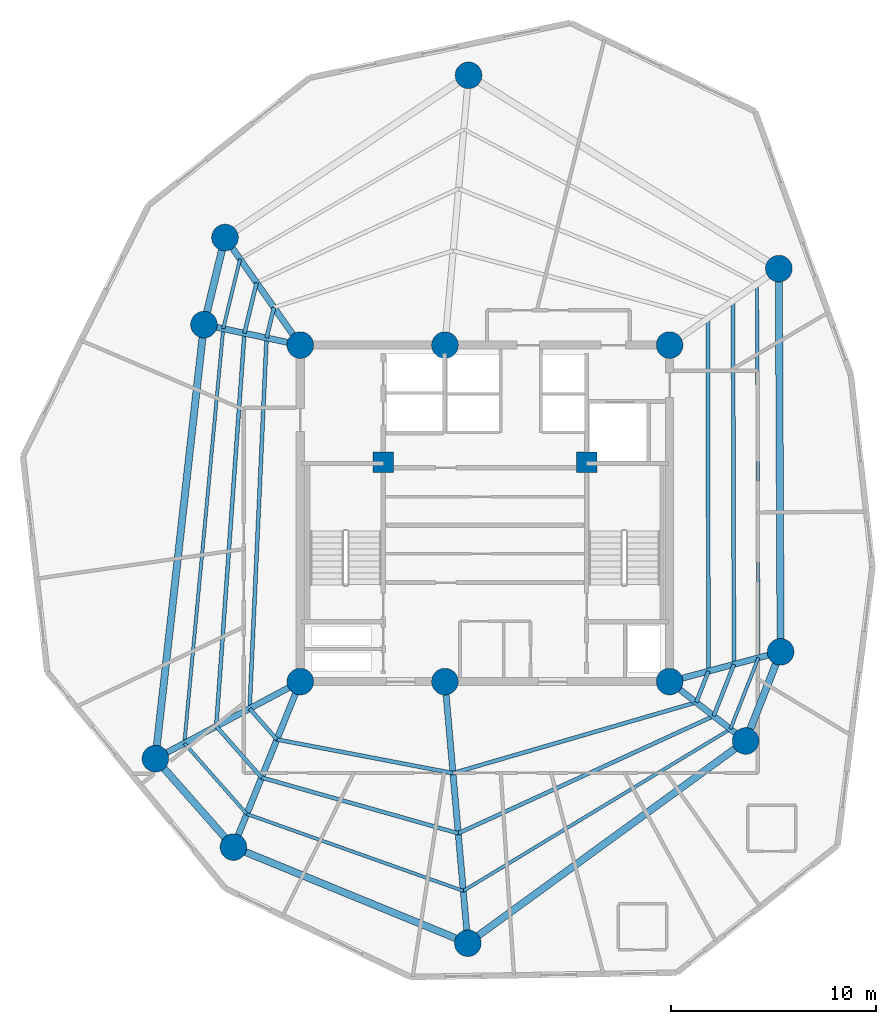
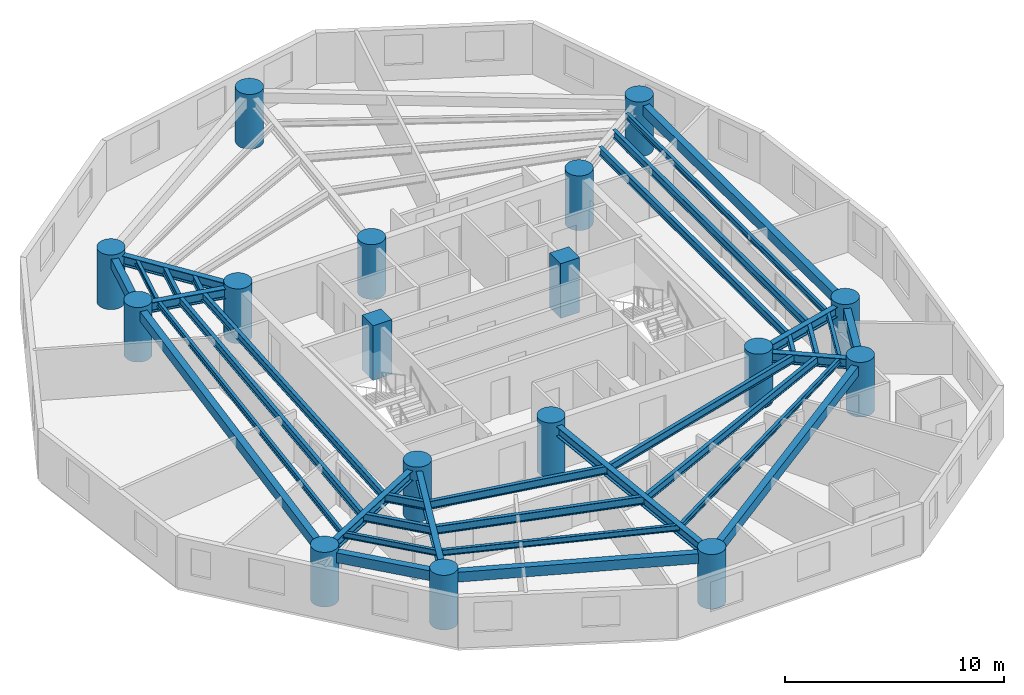
# One storey, part 1 of 7: 35 beams, 17 columns.
"""IFC4 building model written with IfcOpenShell, lengths in metres."""

from ifc_helpers import new_model, si_unit, direction, frame, origin, origin_with_axes, origin_2d, place, context, subcontext, project, spatial, rectangle, circle, i_section, extrude, source, transform, mapped, material, material_profile, profile_set, type_object, element, save


model = new_model("IFC4")

# Units and contexts
model_context = context("Model", 3, precision=1e-05, world=origin(), true_north=direction((0.0, 1.0)))
body_context = subcontext(model_context, "Body", "Model", "MODEL_VIEW")
ifc_project = project(units=[si_unit("LENGTHUNIT", "METRE"), si_unit("AREAUNIT", "SQUARE_METRE"), si_unit("VOLUMEUNIT", "CUBIC_METRE"), si_unit("PLANEANGLEUNIT", "RADIAN"), si_unit("MASSUNIT", "GRAM", prefix="KILO")], contexts=[model_context])

# Site, building, storey
site_placement = place(None, origin())
site = spatial("IfcSite", under=ifc_project, at=site_placement, CompositionType="ELEMENT")
building_placement = place(site_placement, origin())
building = spatial("IfcBuilding", under=site, at=building_placement, Name="Karkom Vertical University and Central Library", CompositionType="ELEMENT")
storey_placement = place(building_placement, frame((0.0, 0.0, 202.300048828125)))
storey = spatial("IfcBuildingStorey", under=building, at=storey_placement, Name="L59", CompositionType="ELEMENT", Elevation=202.300048828125)

# Columns
ifc_material_1 = material(Name="Concrete C50/60", Category="concrete")
ifc_material_profile_1 = material_profile(ifc_material_1, circle(Radius=0.64990234375, at=origin_2d()), Name="CFT-D1300")
ifc_profile_set_1 = profile_set([ifc_material_profile_1], Name="Concrete C50/60")
column_type_1 = type_object("IfcColumnType", Name="STR-COL-C-SC4", PredefinedType="COLUMN", material=ifc_profile_set_1)
shared_shape_1 = source(origin_with_axes(), body_context, "Body", "SweptSolid", [
    extrude(circle(Radius=0.64990234375, at=origin_2d()), origin(), (0.0, 0.0, 1.0), 3.050048828125),
])
for number, where, z_axis, x_axis, name in (
    (1, (19.5, 18.300048828125, 0.0), (0.0, 0.0, 1.0), (1.0, 0.0, 0.0), "Level 59 Spine Mega-Column SC-1"),
    (2, (26.550048828125, 18.300048828125, 0.0), (0.0, 0.0, 1.0), (1.0, 0.0, 0.0), "Level 59 Spine Mega-Column SC-2"),
    (3, (37.5, 18.300048828125, 0.0), (0.0, 0.0, 1.0), (1.0, 0.0, 0.0), "Level 59 Spine Mega-Column SC-3"),
    (4, (19.5, 34.699951171875, 0.0), (0.0, 0.0, 1.0), (1.0, 0.0, 0.0), "Level 59 Spine Mega-Column SC-4"),
    (5, (26.550048828125, 34.699951171875, 0.0), (0.0, 0.0, 1.0), (1.0, 0.0, 0.0), "Level 59 Spine Mega-Column SC-5"),
    (6, (37.5, 34.699951171875, 0.0), (0.0, 0.0, 1.0), (1.0, 0.0, 0.0), "Level 59 Spine Mega-Column SC-6"),
    (7, (42.908935546875, 19.7490234375, 0.0), (0.0, 0.0, 1.0), (1.0, 0.0, 0.0), "Level 59 Perimeter Mega-Column Z3-PC1"),
    (8, (42.823974609375, 38.427978515625, 0.0), (0.0, 0.0, 1.0), (1.0, 0.0, 0.0), "Level 59 Perimeter Mega-Column Z3-PC2"),
    (9, (27.699951171875, 47.85009765625, 0.0), (0.0, 0.0, 1.0), (1.0, 0.0, 0.0), "Level 59 Perimeter Mega-Column Z3-PC3"),
    (10, (15.8291015625, 39.943115234375, 0.0), (0.0, 0.0, 1.0), (1.0, 0.0, 0.0), "Level 59 Perimeter Mega-Column Z3-PC4"),
    (11, (14.804931640625, 35.697998046875, 0.0), (0.0, 0.0, 1.0), (1.0, 0.0, 0.0), "Level 59 Perimeter Mega-Column Z3-PC5"),
    (12, (12.43603515625, 14.5439453125, 0.0), (0.0, 0.0, 1.0), (1.0, 0.0, 0.0), "Level 59 Perimeter Mega-Column Z3-PC6"),
    (13, (16.240966796875, 10.23388671875, 0.0), (0.0, 0.0, 1.0), (1.0, 0.0, 0.0), "Level 59 Perimeter Mega-Column Z3-PC7"),
    (14, (27.666015625, 5.549072265625, 0.0), (0.0, 0.0, 1.0), (1.0, 0.0, 0.0), "Level 59 Perimeter Mega-Column Z3-PC8"),
    (15, (41.2041015625, 15.406005859375, 0.0), (0.0, 0.0, 1.0), (1.0, 0.0, 0.0), "Level 59 Perimeter Mega-Column Z3-PC9"),
):
    element("IfcColumn", number, at=place(storey_placement, frame(where, z_axis=z_axis, x_axis=x_axis)), inside=storey, type_object=column_type_1, Name=name, PredefinedType="COLUMN", context=body_context, shape_type="MappedRepresentation", body=[
        mapped(shared_shape_1, transform((0.0, 0.0, 0.0), scale=1.0)),
    ])
ifc_material_profile_2 = material_profile(ifc_material_1, rectangle(XDim=1.0, YDim=1.0, at=origin_2d()), Name="RC-1000x1000")
ifc_profile_set_2 = profile_set([ifc_material_profile_2], Name="Concrete C50/60")
column_type_2 = type_object("IfcColumnType", Name="STR-COL-C-CC2", PredefinedType="COLUMN", material=ifc_profile_set_2)
shared_shape_2 = source(origin_with_axes(), body_context, "Body", "SweptSolid", [
    extrude(rectangle(XDim=1.0, YDim=1.0, at=origin_2d()), origin(), (0.0, 0.0, 1.0), 3.050048828125),
])
for number, where, z_axis, x_axis, name in (
    (16, (23.550048828125, 29.0, 0.0), (0.0, 0.0, 1.0), (1.0, 0.0, 0.0), "Level 59 Core Node Column CC-1"),
    (17, (33.449951171875, 29.0, 0.0), (0.0, 0.0, 1.0), (1.0, 0.0, 0.0), "Level 59 Core Node Column CC-2"),
):
    element("IfcColumn", number, at=place(storey_placement, frame(where, z_axis=z_axis, x_axis=x_axis)), inside=storey, type_object=column_type_2, Name=name, PredefinedType="COLUMN", context=body_context, shape_type="MappedRepresentation", body=[
        mapped(shared_shape_2, transform((0.0, 0.0, 0.0), scale=1.0)),
    ])

# Beams
ifc_material_2 = material(Name="Precast concrete C45/55", Category="concrete")
ifc_material_profile_3 = material_profile(ifc_material_2, rectangle(XDim=0.35009765625, YDim=0.550048828125, at=origin_2d()), Name="SPB-350x550")
ifc_profile_set_3 = profile_set([ifc_material_profile_3], Name="Precast concrete C45/55")
beam_type_1 = type_object("IfcBeamType", Name="STR-BM-SP-2", PredefinedType="SPANDREL", material=ifc_profile_set_3)
shared_shape_3 = source(origin_with_axes(), body_context, "Body", "SweptSolid", [
    extrude(rectangle(XDim=0.35009765625, YDim=0.550048828125, at=origin_2d()), origin(), (0.0, 0.0, 1.0), 18.67919921875),
])
beam_1_placement = place(storey_placement, frame((42.908935546875, 19.7490234375, 2.550048828125), z_axis=(-0.004548437442, 0.999989655805, 0.0), x_axis=(-0.999989655805, -0.004548437442, 0.0)))
element("IfcBeam", 18, at=beam_1_placement, inside=storey, type_object=beam_type_1, Name="Level 59 Perimeter Spandrel Beam 01", PredefinedType="SPANDREL", context=body_context, shape_type="MappedRepresentation", body=[
    mapped(shared_shape_3, transform((0.0, 0.0, 0.0), scale=1.0)),
])
shared_shape_4 = source(origin_with_axes(), body_context, "Body", "SweptSolid", [
    extrude(rectangle(XDim=0.35009765625, YDim=0.550048828125, at=origin_2d()), origin(), (0.0, 0.0, 1.0), 4.366943359375),
])
beam_2_placement = place(storey_placement, frame((15.8291015625, 39.943115234375, 2.550048828125), z_axis=(-0.234529408772, -0.972109024966, 0.0), x_axis=(0.972109024966, -0.234529408772, 0.0)))
element("IfcBeam", 19, at=beam_2_placement, inside=storey, type_object=beam_type_1, Name="Level 59 Perimeter Spandrel Beam 04", PredefinedType="SPANDREL", context=body_context, shape_type="MappedRepresentation", body=[
    mapped(shared_shape_4, transform((0.0, 0.0, 0.0), scale=1.0)),
])
shared_shape_5 = source(origin_with_axes(), body_context, "Body", "SweptSolid", [
    extrude(rectangle(XDim=0.35009765625, YDim=0.550048828125, at=origin_2d()), origin(), (0.0, 0.0, 1.0), 21.286376953125),
])
beam_3_placement = place(storey_placement, frame((14.804931640625, 35.697998046875, 2.550048828125), z_axis=(-0.111287493264, -0.993788254028, 0.0), x_axis=(0.993788254028, -0.111287493264, 0.0)))
element("IfcBeam", 20, at=beam_3_placement, inside=storey, type_object=beam_type_1, Name="Level 59 Perimeter Spandrel Beam 05", PredefinedType="SPANDREL", context=body_context, shape_type="MappedRepresentation", body=[
    mapped(shared_shape_5, transform((0.0, 0.0, 0.0), scale=1.0)),
])
shared_shape_6 = source(origin_with_axes(), body_context, "Body", "SweptSolid", [
    extrude(rectangle(XDim=0.35009765625, YDim=0.550048828125, at=origin_2d()), origin(), (0.0, 0.0, 1.0), 5.749267578125),
])
beam_4_placement = place(storey_placement, frame((12.43603515625, 14.5439453125, 2.550048828125), z_axis=(0.661811219671, -0.74967053398, 0.0), x_axis=(0.74967053398, 0.661811219671, 0.0)))
element("IfcBeam", 21, at=beam_4_placement, inside=storey, type_object=beam_type_1, Name="Level 59 Perimeter Spandrel Beam 06", PredefinedType="SPANDREL", context=body_context, shape_type="MappedRepresentation", body=[
    mapped(shared_shape_6, transform((0.0, 0.0, 0.0), scale=1.0)),
])
shared_shape_7 = source(origin_with_axes(), body_context, "Body", "SweptSolid", [
    extrude(rectangle(XDim=0.35009765625, YDim=0.550048828125, at=origin_2d()), origin(), (0.0, 0.0, 1.0), 12.34814453125),
])
beam_5_placement = place(storey_placement, frame((16.240966796875, 10.23388671875, 2.550048828125), z_axis=(0.925236428984, -0.37939102583, 0.0), x_axis=(0.37939102583, 0.925236428984, 0.0)))
element("IfcBeam", 22, at=beam_5_placement, inside=storey, type_object=beam_type_1, Name="Level 59 Perimeter Spandrel Beam 07", PredefinedType="SPANDREL", context=body_context, shape_type="MappedRepresentation", body=[
    mapped(shared_shape_7, transform((0.0, 0.0, 0.0), scale=1.0)),
])
shared_shape_8 = source(origin_with_axes(), body_context, "Body", "SweptSolid", [
    extrude(rectangle(XDim=0.35009765625, YDim=0.550048828125, at=origin_2d()), origin(), (0.0, 0.0, 1.0), 16.746337890625),
])
beam_6_placement = place(storey_placement, frame((27.666015625, 5.549072265625, 2.550048828125), z_axis=(0.808422013284, 0.588603303115, 0.0), x_axis=(-0.588603303115, 0.808422013284, 0.0)))
element("IfcBeam", 23, at=beam_6_placement, inside=storey, type_object=beam_type_1, Name="Level 59 Perimeter Spandrel Beam 08", PredefinedType="SPANDREL", context=body_context, shape_type="MappedRepresentation", body=[
    mapped(shared_shape_8, transform((0.0, 0.0, 0.0), scale=1.0)),
])
shared_shape_9 = source(origin_with_axes(), body_context, "Body", "SweptSolid", [
    extrude(rectangle(XDim=0.35009765625, YDim=0.550048828125, at=origin_2d()), origin(), (0.0, 0.0, 1.0), 4.66552734375),
])
beam_7_placement = place(storey_placement, frame((41.2041015625, 15.406005859375, 2.550048828125), z_axis=(0.365401419454, 0.930850043058, 0.0), x_axis=(-0.930850043058, 0.365401419454, 0.0)))
element("IfcBeam", 24, at=beam_7_placement, inside=storey, type_object=beam_type_1, Name="Level 59 Perimeter Spandrel Beam 09", PredefinedType="SPANDREL", context=body_context, shape_type="MappedRepresentation", body=[
    mapped(shared_shape_9, transform((0.0, 0.0, 0.0), scale=1.0)),
])
ifc_material_3 = material(Name="Steel S355", Category="steel")
ifc_material_profile_4 = material_profile(ifc_material_3, i_section(OverallWidth=0.18994140625, OverallDepth=0.449951171875, WebThickness=0.009521484375, FlangeThickness=0.0146484375, FilletRadius=0.02099609375, at=origin_2d()), Name="IPE 450")
ifc_profile_set_4 = profile_set([ifc_material_profile_4], Name="Steel S355")
beam_type_2 = type_object("IfcBeamType", Name="STR-BM-SB-IPE450", PredefinedType="BEAM", material=ifc_profile_set_4)
shared_shape_10 = source(origin_with_axes(), body_context, "Body", "SweptSolid", [
    extrude(i_section(OverallWidth=0.18994140625, OverallDepth=0.449951171875, WebThickness=0.009521484375, FlangeThickness=0.0146484375, FilletRadius=0.02099609375, at=origin_2d()), origin(), (0.0, 0.0, 1.0), 17.19775390625),
])
beam_8_placement = place(storey_placement, frame((39.39306640625, 18.80712890625, 2.599853515625), z_axis=(-0.001731918699, 0.999998500228, 0.0), x_axis=(-0.999998500228, -0.001731918699, 0.0)))
element("IfcBeam", 25, at=beam_8_placement, inside=storey, type_object=beam_type_2, Name="Level 59 Secondary Composite Floor Beam 1.01", PredefinedType="BEAM", context=body_context, shape_type="MappedRepresentation", body=[
    mapped(shared_shape_10, transform((0.0, 0.0, 0.0), scale=1.0)),
])
shared_shape_11 = source(origin_with_axes(), body_context, "Body", "SweptSolid", [
    extrude(i_section(OverallWidth=0.18994140625, OverallDepth=0.449951171875, WebThickness=0.009521484375, FlangeThickness=0.0146484375, FilletRadius=0.02099609375, at=origin_2d()), origin(), (0.0, 0.0, 1.0), 1.5283203125),
])
beam_9_placement = place(storey_placement, frame((18.215087890625, 36.534912109375, 2.599853515625), z_axis=(-0.234520804587, -0.972111100757, 0.0), x_axis=(0.972111100757, -0.234520804587, 0.0)))
element("IfcBeam", 26, at=beam_9_placement, inside=storey, type_object=beam_type_2, Name="Level 59 Secondary Composite Floor Beam 1.04", PredefinedType="BEAM", context=body_context, shape_type="MappedRepresentation", body=[
    mapped(shared_shape_11, transform((0.0, 0.0, 0.0), scale=1.0)),
])
shared_shape_12 = source(origin_with_axes(), body_context, "Body", "SweptSolid", [
    extrude(i_section(OverallWidth=0.18994140625, OverallDepth=0.449951171875, WebThickness=0.009521484375, FlangeThickness=0.0146484375, FilletRadius=0.02099609375, at=origin_2d()), origin(), (0.0, 0.0, 1.0), 18.0830078125),
])
beam_10_placement = place(storey_placement, frame((17.856689453125, 35.04931640625, 2.599853515625), z_axis=(-0.04584982532, -0.998948343769, 0.0), x_axis=(0.998948343769, -0.04584982532, 0.0)))
element("IfcBeam", 27, at=beam_10_placement, inside=storey, type_object=beam_type_2, Name="Level 59 Secondary Composite Floor Beam 1.05", PredefinedType="BEAM", context=body_context, shape_type="MappedRepresentation", body=[
    mapped(shared_shape_12, transform((0.0, 0.0, 0.0), scale=1.0)),
])
shared_shape_13 = source(origin_with_axes(), body_context, "Body", "SweptSolid", [
    extrude(i_section(OverallWidth=0.18994140625, OverallDepth=0.449951171875, WebThickness=0.009521484375, FlangeThickness=0.0146484375, FilletRadius=0.02099609375, at=origin_2d()), origin(), (0.0, 0.0, 1.0), 2.01220703125),
])
beam_11_placement = place(storey_placement, frame((17.027587890625, 16.9853515625, 2.599853515625), z_axis=(0.661822246424, -0.749660799387, 0.0), x_axis=(0.749660799387, 0.661822246424, 0.0)))
element("IfcBeam", 28, at=beam_11_placement, inside=storey, type_object=beam_type_2, Name="Level 59 Secondary Composite Floor Beam 1.06", PredefinedType="BEAM", context=body_context, shape_type="MappedRepresentation", body=[
    mapped(shared_shape_13, transform((0.0, 0.0, 0.0), scale=1.0)),
])
shared_shape_14 = source(origin_with_axes(), body_context, "Body", "SweptSolid", [
    extrude(i_section(OverallWidth=0.18994140625, OverallDepth=0.449951171875, WebThickness=0.009521484375, FlangeThickness=0.0146484375, FilletRadius=0.02099609375, at=origin_2d()), origin(), (0.0, 0.0, 1.0), 8.736572265625),
])
beam_12_placement = place(storey_placement, frame((18.359375, 15.476806640625, 2.599853515625), z_axis=(0.982230782932, -0.187677087205, 0.0), x_axis=(0.187677087205, 0.982230782932, 0.0)))
element("IfcBeam", 29, at=beam_12_placement, inside=storey, type_object=beam_type_2, Name="Level 59 Secondary Composite Floor Beam 1.07", PredefinedType="BEAM", context=body_context, shape_type="MappedRepresentation", body=[
    mapped(shared_shape_14, transform((0.0, 0.0, 0.0), scale=1.0)),
])
shared_shape_15 = source(origin_with_axes(), body_context, "Body", "SweptSolid", [
    extrude(i_section(OverallWidth=0.18994140625, OverallDepth=0.449951171875, WebThickness=0.009521484375, FlangeThickness=0.0146484375, FilletRadius=0.02099609375, at=origin_2d()), origin(), (0.0, 0.0, 1.0), 12.347412109375),
])
beam_13_placement = place(storey_placement, frame((26.940673828125, 13.837158203125, 2.599853515625), z_axis=(0.960173212987, 0.279405442077, 0.0), x_axis=(-0.279405442077, 0.960173212987, 0.0)))
element("IfcBeam", 30, at=beam_13_placement, inside=storey, type_object=beam_type_2, Name="Level 59 Secondary Composite Floor Beam 1.08", PredefinedType="BEAM", context=body_context, shape_type="MappedRepresentation", body=[
    mapped(shared_shape_15, transform((0.0, 0.0, 0.0), scale=1.0)),
])
shared_shape_16 = source(origin_with_axes(), body_context, "Body", "SweptSolid", [
    extrude(i_section(OverallWidth=0.18994140625, OverallDepth=0.449951171875, WebThickness=0.009521484375, FlangeThickness=0.0146484375, FilletRadius=0.02099609375, at=origin_2d()), origin(), (0.0, 0.0, 1.0), 1.633056640625),
])
beam_14_placement = place(storey_placement, frame((38.79638671875, 17.287109375, 2.599853515625), z_axis=(0.365402570083, 0.930849591382, 0.0), x_axis=(-0.930849591382, 0.365402570083, 0.0)))
element("IfcBeam", 31, at=beam_14_placement, inside=storey, type_object=beam_type_2, Name="Level 59 Secondary Composite Floor Beam 1.09", PredefinedType="BEAM", context=body_context, shape_type="MappedRepresentation", body=[
    mapped(shared_shape_16, transform((0.0, 0.0, 0.0), scale=1.0)),
])
shared_shape_17 = source(origin_with_axes(), body_context, "Body", "SweptSolid", [
    extrude(i_section(OverallWidth=0.18994140625, OverallDepth=0.449951171875, WebThickness=0.009521484375, FlangeThickness=0.0146484375, FilletRadius=0.02099609375, at=origin_2d()), origin(), (0.0, 0.0, 1.0), 17.721923828125),
])
beam_15_placement = place(storey_placement, frame((40.63720703125, 19.140380859375, 2.599853515625), z_axis=(-0.002782780006, 0.99999612806, 0.0), x_axis=(-0.99999612806, -0.002782780006, 0.0)))
element("IfcBeam", 32, at=beam_15_placement, inside=storey, type_object=beam_type_2, Name="Level 59 Secondary Composite Floor Beam 2.01", PredefinedType="BEAM", context=body_context, shape_type="MappedRepresentation", body=[
    mapped(shared_shape_17, transform((0.0, 0.0, 0.0), scale=1.0)),
])
shared_shape_18 = source(origin_with_axes(), body_context, "Body", "SweptSolid", [
    extrude(i_section(OverallWidth=0.18994140625, OverallDepth=0.449951171875, WebThickness=0.009521484375, FlangeThickness=0.0146484375, FilletRadius=0.02099609375, at=origin_2d()), origin(), (0.0, 0.0, 1.0), 2.53271484375),
])
beam_16_placement = place(storey_placement, frame((17.370849609375, 37.740966796875, 2.599853515625), z_axis=(-0.234521178828, -0.972111010472, 0.0), x_axis=(0.972111010472, -0.234521178828, 0.0)))
element("IfcBeam", 33, at=beam_16_placement, inside=storey, type_object=beam_type_2, Name="Level 59 Secondary Composite Floor Beam 2.04", PredefinedType="BEAM", context=body_context, shape_type="MappedRepresentation", body=[
    mapped(shared_shape_18, transform((0.0, 0.0, 0.0), scale=1.0)),
])
shared_shape_19 = source(origin_with_axes(), body_context, "Body", "SweptSolid", [
    extrude(i_section(OverallWidth=0.18994140625, OverallDepth=0.449951171875, WebThickness=0.009521484375, FlangeThickness=0.0146484375, FilletRadius=0.02099609375, at=origin_2d()), origin(), (0.0, 0.0, 1.0), 19.20654296875),
])
beam_17_placement = place(storey_placement, frame((16.77685546875, 35.27880859375, 2.599853515625), z_axis=(-0.071539731632, -0.997437750839, 0.0), x_axis=(0.997437750839, -0.071539731632, 0.0)))
element("IfcBeam", 34, at=beam_17_placement, inside=storey, type_object=beam_type_2, Name="Level 59 Secondary Composite Floor Beam 2.05", PredefinedType="BEAM", context=body_context, shape_type="MappedRepresentation", body=[
    mapped(shared_shape_19, transform((0.0, 0.0, 0.0), scale=1.0)),
])
shared_shape_20 = source(origin_with_axes(), body_context, "Body", "SweptSolid", [
    extrude(i_section(OverallWidth=0.18994140625, OverallDepth=0.449951171875, WebThickness=0.009521484375, FlangeThickness=0.0146484375, FilletRadius=0.02099609375, at=origin_2d()), origin(), (0.0, 0.0, 1.0), 3.334716796875),
])
beam_18_placement = place(storey_placement, frame((15.40283203125, 16.12158203125, 2.599853515625), z_axis=(0.661815321502, -0.749666912852, 0.0), x_axis=(0.749666912852, 0.661815321502, 0.0)))
element("IfcBeam", 35, at=beam_18_placement, inside=storey, type_object=beam_type_2, Name="Level 59 Secondary Composite Floor Beam 2.06", PredefinedType="BEAM", context=body_context, shape_type="MappedRepresentation", body=[
    mapped(shared_shape_20, transform((0.0, 0.0, 0.0), scale=1.0)),
])
shared_shape_21 = source(origin_with_axes(), body_context, "Body", "SweptSolid", [
    extrude(i_section(OverallWidth=0.18994140625, OverallDepth=0.449951171875, WebThickness=0.009521484375, FlangeThickness=0.0146484375, FilletRadius=0.02099609375, at=origin_2d()), origin(), (0.0, 0.0, 1.0), 9.965087890625),
])
beam_19_placement = place(storey_placement, frame((17.60986328125, 13.62158203125, 2.599853515625), z_axis=(0.962104232935, -0.272681948372, 0.0), x_axis=(0.272681948372, 0.962104232935, 0.0)))
element("IfcBeam", 36, at=beam_19_placement, inside=storey, type_object=beam_type_2, Name="Level 59 Secondary Composite Floor Beam 2.07", PredefinedType="BEAM", context=body_context, shape_type="MappedRepresentation", body=[
    mapped(shared_shape_21, transform((0.0, 0.0, 0.0), scale=1.0)),
])
shared_shape_22 = source(origin_with_axes(), body_context, "Body", "SweptSolid", [
    extrude(i_section(OverallWidth=0.18994140625, OverallDepth=0.449951171875, WebThickness=0.009521484375, FlangeThickness=0.0146484375, FilletRadius=0.02099609375, at=origin_2d()), origin(), (0.0, 0.0, 1.0), 13.700927734375),
])
beam_20_placement = place(storey_placement, frame((27.197265625, 10.904296875, 2.599853515625), z_axis=(0.908771280691, 0.417294571486, 0.0), x_axis=(-0.417294571486, 0.908771280691, 0.0)))
element("IfcBeam", 37, at=beam_20_placement, inside=storey, type_object=beam_type_2, Name="Level 59 Secondary Composite Floor Beam 2.08", PredefinedType="BEAM", context=body_context, shape_type="MappedRepresentation", body=[
    mapped(shared_shape_22, transform((0.0, 0.0, 0.0), scale=1.0)),
])
shared_shape_23 = source(origin_with_axes(), body_context, "Body", "SweptSolid", [
    extrude(i_section(OverallWidth=0.18994140625, OverallDepth=0.449951171875, WebThickness=0.009521484375, FlangeThickness=0.0146484375, FilletRadius=0.02099609375, at=origin_2d()), origin(), (0.0, 0.0, 1.0), 2.7060546875),
])
beam_21_placement = place(storey_placement, frame((39.648193359375, 16.62158203125, 2.599853515625), z_axis=(0.365487674906, 0.930816179217, 0.0), x_axis=(-0.930816179217, 0.365487674906, 0.0)))
element("IfcBeam", 38, at=beam_21_placement, inside=storey, type_object=beam_type_2, Name="Level 59 Secondary Composite Floor Beam 2.09", PredefinedType="BEAM", context=body_context, shape_type="MappedRepresentation", body=[
    mapped(shared_shape_23, transform((0.0, 0.0, 0.0), scale=1.0)),
])
ifc_material_profile_5 = material_profile(ifc_material_3, i_section(OverallWidth=0.159912109375, OverallDepth=0.330078125, WebThickness=0.007568359375, FlangeThickness=0.011474609375, FilletRadius=0.01806640625, at=origin_2d()), Name="IPE 330")
ifc_profile_set_5 = profile_set([ifc_material_profile_5], Name="Steel S355")
beam_type_3 = type_object("IfcBeamType", Name="STR-BM-SB-IPE330", PredefinedType="BEAM", material=ifc_profile_set_5)
shared_shape_24 = source(origin_with_axes(), body_context, "Body", "SweptSolid", [
    extrude(i_section(OverallWidth=0.159912109375, OverallDepth=0.330078125, WebThickness=0.007568359375, FlangeThickness=0.011474609375, FilletRadius=0.01806640625, at=origin_2d()), origin(), (0.0, 0.0, 1.0), 18.223388671875),
])
beam_22_placement = place(storey_placement, frame((41.8271484375, 19.459228515625, 2.659912109375), z_axis=(-0.003724418851, 0.999993064328, 0.0), x_axis=(-0.999993064328, -0.003724418851, 0.0)))
element("IfcBeam", 39, at=beam_22_placement, inside=storey, type_object=beam_type_3, Name="Level 59 Secondary Composite Floor Beam 3.01", PredefinedType="BEAM", context=body_context, shape_type="MappedRepresentation", body=[
    mapped(shared_shape_24, transform((0.0, 0.0, 0.0), scale=1.0)),
])
shared_shape_25 = source(origin_with_axes(), body_context, "Body", "SweptSolid", [
    extrude(i_section(OverallWidth=0.159912109375, OverallDepth=0.330078125, WebThickness=0.007568359375, FlangeThickness=0.011474609375, FilletRadius=0.01806640625, at=origin_2d()), origin(), (0.0, 0.0, 1.0), 3.493408203125),
])
beam_23_placement = place(storey_placement, frame((16.563232421875, 38.894287109375, 2.659912109375), z_axis=(-0.234535781995, -0.972107487351, 0.0), x_axis=(0.972107487351, -0.234535781995, 0.0)))
element("IfcBeam", 40, at=beam_23_placement, inside=storey, type_object=beam_type_3, Name="Level 59 Secondary Composite Floor Beam 3.04", PredefinedType="BEAM", context=body_context, shape_type="MappedRepresentation", body=[
    mapped(shared_shape_25, transform((0.0, 0.0, 0.0), scale=1.0)),
])
shared_shape_26 = source(origin_with_axes(), body_context, "Body", "SweptSolid", [
    extrude(i_section(OverallWidth=0.159912109375, OverallDepth=0.330078125, WebThickness=0.007568359375, FlangeThickness=0.011474609375, FilletRadius=0.01806640625, at=origin_2d()), origin(), (0.0, 0.0, 1.0), 20.291748046875),
])
beam_24_placement = place(storey_placement, frame((15.743896484375, 35.498291015625, 2.659912109375), z_axis=(-0.093388415244, -0.995629752417, 0.0), x_axis=(0.995629752417, -0.093388415244, 0.0)))
element("IfcBeam", 41, at=beam_24_placement, inside=storey, type_object=beam_type_3, Name="Level 59 Secondary Composite Floor Beam 3.05", PredefinedType="BEAM", context=body_context, shape_type="MappedRepresentation", body=[
    mapped(shared_shape_26, transform((0.0, 0.0, 0.0), scale=1.0)),
])
shared_shape_27 = source(origin_with_axes(), body_context, "Body", "SweptSolid", [
    extrude(i_section(OverallWidth=0.159912109375, OverallDepth=0.330078125, WebThickness=0.007568359375, FlangeThickness=0.011474609375, FilletRadius=0.01806640625, at=origin_2d()), origin(), (0.0, 0.0, 1.0), 4.599365234375),
])
beam_25_placement = place(storey_placement, frame((13.848876953125, 15.295166015625, 2.659912109375), z_axis=(0.661816486801, -0.74966588411, 0.0), x_axis=(0.74966588411, 0.661816486801, 0.0)))
element("IfcBeam", 42, at=beam_25_placement, inside=storey, type_object=beam_type_3, Name="Level 59 Secondary Composite Floor Beam 3.06", PredefinedType="BEAM", context=body_context, shape_type="MappedRepresentation", body=[
    mapped(shared_shape_27, transform((0.0, 0.0, 0.0), scale=1.0)),
])
shared_shape_28 = source(origin_with_axes(), body_context, "Body", "SweptSolid", [
    extrude(i_section(OverallWidth=0.159912109375, OverallDepth=0.330078125, WebThickness=0.007568359375, FlangeThickness=0.011474609375, FilletRadius=0.01806640625, at=origin_2d()), origin(), (0.0, 0.0, 1.0), 11.196044921875),
])
beam_26_placement = place(storey_placement, frame((16.892822265625, 11.84716796875, 2.659912109375), z_axis=(0.942301538336, -0.334765307119, 0.0), x_axis=(0.334765307119, 0.942301538336, 0.0)))
element("IfcBeam", 43, at=beam_26_placement, inside=storey, type_object=beam_type_3, Name="Level 59 Secondary Composite Floor Beam 3.07", PredefinedType="BEAM", context=body_context, shape_type="MappedRepresentation", body=[
    mapped(shared_shape_28, transform((0.0, 0.0, 0.0), scale=1.0)),
])
shared_shape_29 = source(origin_with_axes(), body_context, "Body", "SweptSolid", [
    extrude(i_section(OverallWidth=0.159912109375, OverallDepth=0.330078125, WebThickness=0.007568359375, FlangeThickness=0.011474609375, FilletRadius=0.01806640625, at=origin_2d()), origin(), (0.0, 0.0, 1.0), 15.22216796875),
])
beam_27_placement = place(storey_placement, frame((27.44287109375, 8.09912109375, 2.659912109375), z_axis=(0.855352900974, 0.518045765155, 0.0), x_axis=(-0.518045765155, 0.855352900974, 0.0)))
element("IfcBeam", 44, at=beam_27_placement, inside=storey, type_object=beam_type_3, Name="Level 59 Secondary Composite Floor Beam 3.08", PredefinedType="BEAM", context=body_context, shape_type="MappedRepresentation", body=[
    mapped(shared_shape_29, transform((0.0, 0.0, 0.0), scale=1.0)),
])
shared_shape_30 = source(origin_with_axes(), body_context, "Body", "SweptSolid", [
    extrude(i_section(OverallWidth=0.159912109375, OverallDepth=0.330078125, WebThickness=0.007568359375, FlangeThickness=0.011474609375, FilletRadius=0.01806640625, at=origin_2d()), origin(), (0.0, 0.0, 1.0), 3.732421875),
])
beam_28_placement = place(storey_placement, frame((40.463134765625, 15.98486328125, 2.659912109375), z_axis=(0.365439874109, 0.930834946922, 0.0), x_axis=(-0.930834946922, 0.365439874109, 0.0)))
element("IfcBeam", 45, at=beam_28_placement, inside=storey, type_object=beam_type_3, Name="Level 59 Secondary Composite Floor Beam 3.09", PredefinedType="BEAM", context=body_context, shape_type="MappedRepresentation", body=[
    mapped(shared_shape_30, transform((0.0, 0.0, 0.0), scale=1.0)),
])
ifc_material_profile_6 = material_profile(ifc_material_3, i_section(OverallWidth=0.300048828125, OverallDepth=0.550048828125, WebThickness=0.014892578125, FlangeThickness=0.029052734375, FilletRadius=0.027099609375, at=origin_2d()), Name="HE 550 B")
ifc_profile_set_6 = profile_set([ifc_material_profile_6], Name="Steel S355")
beam_type_4 = type_object("IfcBeamType", Name="STR-BM-SB-HE550", PredefinedType="USERDEFINED", material=ifc_profile_set_6)
shared_shape_31 = source(origin_with_axes(), body_context, "Body", "SweptSolid", [
    extrude(i_section(OverallWidth=0.300048828125, OverallDepth=0.550048828125, WebThickness=0.014892578125, FlangeThickness=0.029052734375, FilletRadius=0.027099609375, at=origin_2d()), origin(), (0.0, 0.0, 1.0), 5.599609375),
])
beam_29_placement = place(storey_placement, frame((37.5, 18.300048828125, 2.550048828125), z_axis=(0.965941240814, 0.258761510459, 0.0), x_axis=(-0.258761510459, 0.965941240814, 0.0)))
element("IfcBeam", 46, at=beam_29_placement, inside=storey, type_object=beam_type_4, Name="Level 59 Radial Frame Girder 01", ObjectType="GIRDER", PredefinedType="USERDEFINED", context=body_context, shape_type="MappedRepresentation", body=[
    mapped(shared_shape_31, transform((0.0, 0.0, 0.0), scale=1.0)),
])
shared_shape_32 = source(origin_with_axes(), body_context, "Body", "SweptSolid", [
    extrude(i_section(OverallWidth=0.300048828125, OverallDepth=0.550048828125, WebThickness=0.014892578125, FlangeThickness=0.029052734375, FilletRadius=0.027099609375, at=origin_2d()), origin(), (0.0, 0.0, 1.0), 6.400390625),
])
beam_30_placement = place(storey_placement, frame((19.5, 34.699951171875, 2.550048828125), z_axis=(-0.573534022273, 0.81918174131, 0.0), x_axis=(-0.81918174131, -0.573534022273, 0.0)))
element("IfcBeam", 47, at=beam_30_placement, inside=storey, type_object=beam_type_4, Name="Level 59 Radial Frame Girder 04", ObjectType="GIRDER", PredefinedType="USERDEFINED", context=body_context, shape_type="MappedRepresentation", body=[
    mapped(shared_shape_32, transform((0.0, 0.0, 0.0), scale=1.0)),
])
shared_shape_33 = source(origin_with_axes(), body_context, "Body", "SweptSolid", [
    extrude(i_section(OverallWidth=0.300048828125, OverallDepth=0.550048828125, WebThickness=0.014892578125, FlangeThickness=0.029052734375, FilletRadius=0.027099609375, at=origin_2d()), origin(), (0.0, 0.0, 1.0), 4.800048828125),
])
beam_31_placement = place(storey_placement, frame((19.5, 34.699951171875, 2.550048828125), z_axis=(-0.978144241295, 0.207927495108, 0.0), x_axis=(-0.207927495108, -0.978144241295, 0.0)))
element("IfcBeam", 48, at=beam_31_placement, inside=storey, type_object=beam_type_4, Name="Level 59 Radial Frame Girder 05", ObjectType="GIRDER", PredefinedType="USERDEFINED", context=body_context, shape_type="MappedRepresentation", body=[
    mapped(shared_shape_33, transform((0.0, 0.0, 0.0), scale=1.0)),
])
shared_shape_34 = source(origin_with_axes(), body_context, "Body", "SweptSolid", [
    extrude(i_section(OverallWidth=0.300048828125, OverallDepth=0.550048828125, WebThickness=0.014892578125, FlangeThickness=0.029052734375, FilletRadius=0.027099609375, at=origin_2d()), origin(), (0.0, 0.0, 1.0), 8.00048828125),
])
beam_32_placement = place(storey_placement, frame((19.5, 18.300048828125, 2.550048828125), z_axis=(-0.882941023922, -0.46948391695, 0.0), x_axis=(0.46948391695, -0.882941023922, 0.0)))
element("IfcBeam", 49, at=beam_32_placement, inside=storey, type_object=beam_type_4, Name="Level 59 Radial Frame Girder 06", ObjectType="GIRDER", PredefinedType="USERDEFINED", context=body_context, shape_type="MappedRepresentation", body=[
    mapped(shared_shape_34, transform((0.0, 0.0, 0.0), scale=1.0)),
])
shared_shape_35 = source(origin_with_axes(), body_context, "Body", "SweptSolid", [
    extrude(i_section(OverallWidth=0.300048828125, OverallDepth=0.550048828125, WebThickness=0.014892578125, FlangeThickness=0.029052734375, FilletRadius=0.027099609375, at=origin_2d()), origin(), (0.0, 0.0, 1.0), 8.69970703125),
])
beam_33_placement = place(storey_placement, frame((19.5, 18.300048828125, 2.550048828125), z_axis=(-0.374615701214, -0.927180174725, 0.0), x_axis=(0.927180174725, -0.374615701214, 0.0)))
element("IfcBeam", 50, at=beam_33_placement, inside=storey, type_object=beam_type_4, Name="Level 59 Radial Frame Girder 07", ObjectType="GIRDER", PredefinedType="USERDEFINED", context=body_context, shape_type="MappedRepresentation", body=[
    mapped(shared_shape_35, transform((0.0, 0.0, 0.0), scale=1.0)),
])
shared_shape_36 = source(origin_with_axes(), body_context, "Body", "SweptSolid", [
    extrude(i_section(OverallWidth=0.300048828125, OverallDepth=0.550048828125, WebThickness=0.014892578125, FlangeThickness=0.029052734375, FilletRadius=0.027099609375, at=origin_2d()), origin(), (0.0, 0.0, 1.0), 12.7998046875),
])
beam_34_placement = place(storey_placement, frame((26.550048828125, 18.300048828125, 2.550048828125), z_axis=(0.087186825694, -0.996191978198, 0.0), x_axis=(0.996191978198, 0.087186825694, 0.0)))
element("IfcBeam", 51, at=beam_34_placement, inside=storey, type_object=beam_type_4, Name="Level 59 Radial Frame Girder 08", ObjectType="GIRDER", PredefinedType="USERDEFINED", context=body_context, shape_type="MappedRepresentation", body=[
    mapped(shared_shape_36, transform((0.0, 0.0, 0.0), scale=1.0)),
])
shared_shape_37 = source(origin_with_axes(), body_context, "Body", "SweptSolid", [
    extrude(i_section(OverallWidth=0.300048828125, OverallDepth=0.550048828125, WebThickness=0.014892578125, FlangeThickness=0.029052734375, FilletRadius=0.027099609375, at=origin_2d()), origin(), (0.0, 0.0, 1.0), 4.70068359375),
])
beam_35_placement = place(storey_placement, frame((37.5, 18.300048828125, 2.550048828125), z_axis=(0.788002325582, -0.615672262553, 0.0), x_axis=(0.615672262553, 0.788002325582, 0.0)))
element("IfcBeam", 52, at=beam_35_placement, inside=storey, type_object=beam_type_4, Name="Level 59 Radial Frame Girder 09", ObjectType="GIRDER", PredefinedType="USERDEFINED", context=body_context, shape_type="MappedRepresentation", body=[
    mapped(shared_shape_37, transform((0.0, 0.0, 0.0), scale=1.0)),
])

save(model, "model.ifc")
